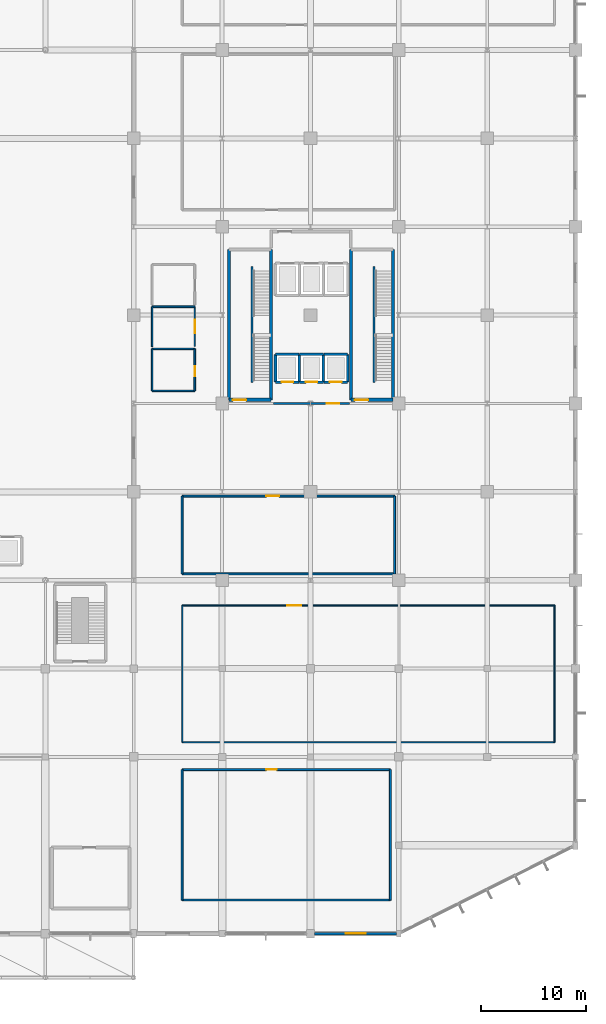
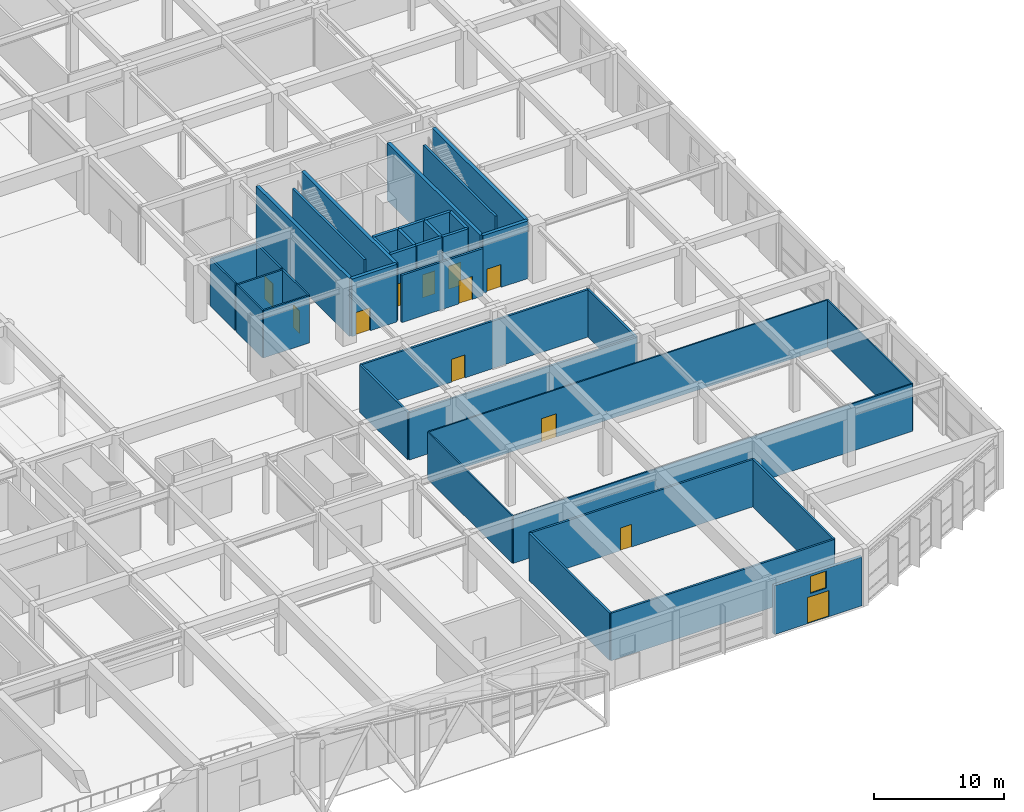
# One storey, part 48 of 62: 39 walls, 12 doors, 1 window, 13 openings.
"""IFC4 building model written with IfcOpenShell, lengths in metres."""

from ifc_helpers import new_model, si_unit, direction, frame, frame_2d, origin, place, context, subcontext, project, spatial, rectangle, extrude, material, layer, layer_set, type_object, element, fill, save


model = new_model("IFC4")

# Units and contexts
model_context = context("Model", 3, precision=1e-05, world=origin(), true_north=direction((0.0, 1.0)))
body_context = subcontext(model_context, "Body", "Model", "MODEL_VIEW")
ifc_project = project(units=[si_unit("LENGTHUNIT", "METRE"), si_unit("AREAUNIT", "SQUARE_METRE"), si_unit("VOLUMEUNIT", "CUBIC_METRE"), si_unit("PLANEANGLEUNIT", "RADIAN"), si_unit("MASSUNIT", "GRAM", prefix="KILO")], contexts=[model_context])

# Site, building, storey
site_placement = place(None, origin())
site = spatial("IfcSite", under=ifc_project, at=site_placement, CompositionType="ELEMENT")
building_placement = place(site_placement, origin())
building = spatial("IfcBuilding", under=site, at=building_placement, Name="Xuanlan Plaza Opera House", CompositionType="ELEMENT")
storey_placement = place(building_placement, origin())
storey = spatial("IfcBuildingStorey", under=building, at=storey_placement, Name="L00", CompositionType="ELEMENT", Elevation=0.0)

# Wall, openings, door, window
ifc_material_1 = material(Name="Anodised Aluminium 6063-T6 and Rockwool Cladding", Category="aluminium")
ifc_layer_1 = layer(ifc_material_1, 0.27001953125)
ifc_layer_set_1 = layer_set([ifc_layer_1], Name="Anodised Aluminium 6063-T6 and Rockwool Cladding")
wall_type_1 = type_object("IfcWallType", Name="ENV-WL-EW-06", PredefinedType="STANDARD", material=ifc_layer_set_1)
wall_1_placement = place(storey_placement, frame((143.199951171875, 0.0, 0.0), z_axis=(0.0, 0.0, 1.0), x_axis=(1.0, 0.0, 0.0)))
wall_1 = element("IfcWall", 1, at=wall_1_placement, inside=storey, type_object=wall_type_1, Name="Exterior Wall L00-016", PredefinedType="STANDARD", context=body_context, shape_type="SweptSolid", body=[
    extrude(rectangle(XDim=7.775146484375, YDim=0.27001953125, at=frame_2d((3.8876953125, 0.0))), origin(), (0.0, 0.0, 1.0), 4.580078125),
])
opening_1_placement = place(wall_1_placement, frame((2.93798828125, 0.0, 0.0)))
opening_1 = element("IfcOpeningElement", 2, at=opening_1_placement, cuts=wall_1, Name="Opening ED-05", PredefinedType="OPENING", context=body_context, shape_type="SweptSolid", body=[
    extrude(rectangle(XDim=1.89990234375, YDim=2.449951171875, at=frame_2d((0.949951171875, 1.22509765625))), frame((0.0, 0.14501953125, 0.0), z_axis=(0.0, -1.0, 0.0), x_axis=(1.0, 0.0, 0.0)), (0.0, 0.0, 1.0), 0.2900390625),
])
opening_2_placement = place(wall_1_placement, frame((3.18798828125, 0.0, 2.75)))
opening_2 = element("IfcOpeningElement", 3, at=opening_2_placement, cuts=wall_1, Name="Opening WN-08", PredefinedType="OPENING", context=body_context, shape_type="SweptSolid", body=[
    extrude(rectangle(XDim=1.39990234375, YDim=1.60009765625, at=frame_2d((0.699951171875, 0.800048828125))), frame((0.0, 0.14501953125, 0.0), z_axis=(0.0, -1.0, 0.0), x_axis=(1.0, 0.0, 0.0)), (0.0, 0.0, 1.0), 0.2900390625),
])
ifc_material_2 = material(Name="Anodised Aluminium 6063-T6 and Laminated Safety Glass", Category="aluminium")
door_type_1 = type_object("IfcDoorType", Name="ENV-DR-ED-05", OperationType="DOUBLE_DOOR_SINGLE_SWING", PredefinedType="DOOR", material=ifc_material_2)
door_1_placement = place(opening_1_placement, frame((1.89990234375, 0.0, 0.0), z_axis=(0.0, 0.0, 1.0), x_axis=(-1.0, 0.0, 0.0)))
door_1 = element("IfcDoor", 4, at=door_1_placement, inside=storey, type_object=door_type_1, Name="Plaza Pedestrian Exit Door 10", OperationType="DOUBLE_DOOR_SINGLE_SWING", OverallHeight=2.449951171875, OverallWidth=1.89990234375, PredefinedType="DOOR", context=body_context, shape_type="SweptSolid", body=[
    extrude(rectangle(XDim=1.89990234375, YDim=2.449951171875, at=frame_2d((0.949951171875, 1.22509765625))), frame((0.0, 0.02490234375, 0.0), z_axis=(0.0, -1.0, 0.0), x_axis=(1.0, 0.0, 0.0)), (0.0, 0.0, 1.0), 0.050048828125),
])
fill(opening_1, door_1)
ifc_material_3 = material(Name="Anodised Aluminium 6063-T6 and Low-E Glass", Category="aluminium")
window_type = type_object("IfcWindowType", Name="ENV-WN-WN-08", PartitioningType="SINGLE_PANEL", PredefinedType="WINDOW", material=ifc_material_3)
window_placement = place(opening_2_placement, origin())
window = element("IfcWindow", 5, at=window_placement, inside=storey, type_object=window_type, Name="Entrance Portal Transom Clerestory 10", OverallHeight=1.60009765625, OverallWidth=1.39990234375, PartitioningType="SINGLE_PANEL", PredefinedType="WINDOW", context=body_context, shape_type="SweptSolid", body=[
    extrude(rectangle(XDim=1.39990234375, YDim=1.60009765625, at=frame_2d((0.699951171875, 0.800048828125))), frame((0.0, 0.030029296875, 0.0), z_axis=(0.0, -1.0, 0.0), x_axis=(1.0, 0.0, 0.0)), (0.0, 0.0, 1.0), 0.06005859375),
])
fill(opening_2, window)

# Wall, opening, door
ifc_material_4 = material(Name="Gypsum Board and Galvanised Steel Studs", Category="gypsum")
ifc_layer_2 = layer(ifc_material_4, 0.179931640625)
ifc_layer_set_2 = layer_set([ifc_layer_2], Name="Gypsum Board and Galvanised Steel Studs")
wall_type_2 = type_object("IfcWallType", Name="INT-WL-PW-02", PredefinedType="PARTITIONING", material=ifc_layer_set_2)
wall_2_placement = place(storey_placement, frame((139.300048828125, 50.39990234375, 0.0), z_axis=(0.0, 0.0, 1.0), x_axis=(1.0, 0.0, 0.0)))
wall_2 = element("IfcWall", 6, at=wall_2_placement, inside=storey, type_object=wall_type_2, Name="Tower Lift Lobby Wall South", PredefinedType="PARTITIONING", context=body_context, shape_type="SweptSolid", body=[
    extrude(rectangle(XDim=7.199951171875, YDim=0.179931640625, at=frame_2d((3.60009765625, 0.0))), origin(), (0.0, 0.0, 1.0), 4.43994140625),
])
opening_3_placement = place(wall_2_placement, frame((5.050048828125, 0.0, 0.0)))
opening_3 = element("IfcOpeningElement", 7, at=opening_3_placement, cuts=wall_2, Name="Opening FD-02", PredefinedType="OPENING", context=body_context, shape_type="SweptSolid", body=[
    extrude(rectangle(XDim=1.199951171875, YDim=2.14990234375, at=frame_2d((0.60009765625, 1.074951171875))), frame((0.0, 0.099853515625, 0.0), z_axis=(0.0, -1.0, 0.0), x_axis=(1.0, 0.0, 0.0)), (0.0, 0.0, 1.0), 0.199951171875),
])
ifc_material_5 = material(Name="Galvanised Steel Q235B", Category="steel")
door_type_2 = type_object("IfcDoorType", Name="INT-DR-FD-02", OperationType="NOTDEFINED", PredefinedType="DOOR", material=ifc_material_5)
door_2_placement = place(opening_3_placement, frame((1.199951171875, 0.0, 0.0), z_axis=(0.0, 0.0, 1.0), x_axis=(-1.0, 0.0, 0.0)))
door_2 = element("IfcDoor", 8, at=door_2_placement, inside=storey, type_object=door_type_2, Name="Tower Lift Lobby Door 1", OperationType="SINGLE_SWING_RIGHT", OverallHeight=2.14990234375, OverallWidth=1.199951171875, PredefinedType="DOOR", context=body_context, shape_type="SweptSolid", body=[
    extrude(rectangle(XDim=1.199951171875, YDim=2.14990234375, at=frame_2d((0.60009765625, 1.074951171875))), frame((0.0, 0.02490234375, 0.0), z_axis=(0.0, -1.0, 0.0), x_axis=(1.0, 0.0, 0.0)), (0.0, 0.0, 1.0), 0.050048828125),
])
fill(opening_3, door_2)

# Wall
wall_3_placement = place(storey_placement, frame((130.60009765625, 34.199951171875, 0.0), z_axis=(0.0, 0.0, 1.0), x_axis=(1.0, 0.0, 0.0)))
element("IfcWall", 9, at=wall_3_placement, inside=storey, type_object=wall_type_2, Name="Tower Concierge Office Wall South", PredefinedType="PARTITIONING", context=body_context, shape_type="SweptSolid", body=[
    extrude(rectangle(XDim=20.199951171875, YDim=0.179931640625, at=frame_2d((10.10009765625, 0.0))), origin(), (0.0, 0.0, 1.0), 4.43994140625),
])

# Wall, opening, door
wall_4_placement = place(storey_placement, frame((130.60009765625, 41.60009765625, 0.0), z_axis=(0.0, 0.0, 1.0), x_axis=(1.0, 0.0, 0.0)))
wall_4 = element("IfcWall", 10, at=wall_4_placement, inside=storey, type_object=wall_type_2, Name="Tower Concierge Office Wall North", PredefinedType="PARTITIONING", context=body_context, shape_type="SweptSolid", body=[
    extrude(rectangle(XDim=20.199951171875, YDim=0.179931640625, at=frame_2d((10.10009765625, 0.0))), origin(), (0.0, 0.0, 1.0), 4.43994140625),
])
opening_4_placement = place(wall_4_placement, frame((8.0, 0.0, 0.0)))
opening_4 = element("IfcOpeningElement", 11, at=opening_4_placement, cuts=wall_4, Name="Opening D-05", PredefinedType="OPENING", context=body_context, shape_type="SweptSolid", body=[
    extrude(rectangle(XDim=1.219970703125, YDim=2.14990234375, at=frame_2d((0.60986328125, 1.074951171875))), frame((0.0, 0.099853515625, 0.0), z_axis=(0.0, -1.0, 0.0), x_axis=(1.0, 0.0, 0.0)), (0.0, 0.0, 1.0), 0.199951171875),
])
ifc_material_6 = material(Name="Walnut Hardwood Timber", Category="wood")
door_type_3 = type_object("IfcDoorType", Name="INT-DR-D-05", OperationType="NOTDEFINED", PredefinedType="DOOR", material=ifc_material_6)
door_3_placement = place(opening_4_placement, origin())
door_3 = element("IfcDoor", 12, at=door_3_placement, inside=storey, type_object=door_type_3, Name="Tower Concierge Office Door 1", OperationType="SINGLE_SWING_RIGHT", OverallHeight=2.14990234375, OverallWidth=1.219970703125, PredefinedType="DOOR", context=body_context, shape_type="SweptSolid", body=[
    extrude(rectangle(XDim=1.219970703125, YDim=2.14990234375, at=frame_2d((0.60986328125, 1.074951171875))), frame((0.0, 0.02490234375, 0.0), z_axis=(0.0, -1.0, 0.0), x_axis=(1.0, 0.0, 0.0)), (0.0, 0.0, 1.0), 0.050048828125),
])
fill(opening_4, door_3)

# Walls
for number, where, z_axis, x_axis, name in (
    (13, (130.60009765625, 34.199951171875, 0.0), (0.0, 0.0, 1.0), (0.0, 1.0, 0.0), "Tower Concierge Office Wall West"),
    (14, (150.800048828125, 34.199951171875, 0.0), (0.0, 0.0, 1.0), (0.0, 1.0, 0.0), "Tower Concierge Office Wall East"),
):
    element("IfcWall", number, at=place(storey_placement, frame(where, z_axis=z_axis, x_axis=x_axis)), inside=storey, type_object=wall_type_2, Name=name, PredefinedType="PARTITIONING", context=body_context, shape_type="SweptSolid", body=[
        extrude(rectangle(XDim=7.400146484375, YDim=0.179931640625, at=frame_2d((3.7001953125, 0.0))), origin(), (0.0, 0.0, 1.0), 4.43994140625),
    ])
wall_5_placement = place(storey_placement, frame((130.60009765625, 3.199951171875, 0.0), z_axis=(0.0, 0.0, 1.0), x_axis=(1.0, 0.0, 0.0)))
element("IfcWall", 15, at=wall_5_placement, inside=storey, type_object=wall_type_2, Name="Building Maintenance Store Wall South", PredefinedType="PARTITIONING", context=body_context, shape_type="SweptSolid", body=[
    extrude(rectangle(XDim=19.7998046875, YDim=0.179931640625, at=frame_2d((9.89990234375, 0.0))), origin(), (0.0, 0.0, 1.0), 4.43994140625),
])

# Wall, opening, door
wall_6_placement = place(storey_placement, frame((130.60009765625, 15.60009765625, 0.0), z_axis=(0.0, 0.0, 1.0), x_axis=(1.0, 0.0, 0.0)))
wall_6 = element("IfcWall", 16, at=wall_6_placement, inside=storey, type_object=wall_type_2, Name="Building Maintenance Store Wall North", PredefinedType="PARTITIONING", context=body_context, shape_type="SweptSolid", body=[
    extrude(rectangle(XDim=19.7998046875, YDim=0.179931640625, at=frame_2d((9.89990234375, 0.0))), origin(), (0.0, 0.0, 1.0), 4.43994140625),
])
opening_5_placement = place(wall_6_placement, frame((8.0, 0.0, 0.0)))
opening_5 = element("IfcOpeningElement", 17, at=opening_5_placement, cuts=wall_6, Name="Opening D-09", PredefinedType="OPENING", context=body_context, shape_type="SweptSolid", body=[
    extrude(rectangle(XDim=0.97998046875, YDim=2.1201171875, at=frame_2d((0.489990234375, 1.06005859375))), frame((0.0, 0.099853515625, 0.0), z_axis=(0.0, -1.0, 0.0), x_axis=(1.0, 0.0, 0.0)), (0.0, 0.0, 1.0), 0.199951171875),
])
door_type_4 = type_object("IfcDoorType", Name="INT-DR-D-09", OperationType="NOTDEFINED", PredefinedType="DOOR", material=ifc_material_6)
door_4_placement = place(opening_5_placement, origin())
door_4 = element("IfcDoor", 18, at=door_4_placement, inside=storey, type_object=door_type_4, Name="Building Maintenance Store Door 1", OperationType="SINGLE_SWING_RIGHT", OverallHeight=2.1201171875, OverallWidth=0.97998046875, PredefinedType="DOOR", context=body_context, shape_type="SweptSolid", body=[
    extrude(rectangle(XDim=0.97998046875, YDim=2.1201171875, at=frame_2d((0.489990234375, 1.06005859375))), frame((0.0, 0.02490234375, 0.0), z_axis=(0.0, -1.0, 0.0), x_axis=(1.0, 0.0, 0.0)), (0.0, 0.0, 1.0), 0.050048828125),
])
fill(opening_5, door_4)

# Walls
for number, where, z_axis, x_axis, name in (
    (19, (130.60009765625, 3.199951171875, 0.0), (0.0, 0.0, 1.0), (0.0, 1.0, 0.0), "Building Maintenance Store Wall West"),
    (20, (150.39990234375, 3.199951171875, 0.0), (0.0, 0.0, 1.0), (0.0, 1.0, 0.0), "Building Maintenance Store Wall East"),
):
    element("IfcWall", number, at=place(storey_placement, frame(where, z_axis=z_axis, x_axis=x_axis)), inside=storey, type_object=wall_type_2, Name=name, PredefinedType="PARTITIONING", context=body_context, shape_type="SweptSolid", body=[
        extrude(rectangle(XDim=12.400146484375, YDim=0.179931640625, at=frame_2d((6.2001953125, 0.0))), origin(), (0.0, 0.0, 1.0), 4.43994140625),
    ])
ifc_material_7 = material(Name="Autoclaved Aerated Blockwork Masonry", Category="masonry")
ifc_layer_3 = layer(ifc_material_7, 0.14990234375)
ifc_layer_set_3 = layer_set([ifc_layer_3], Name="Autoclaved Aerated Blockwork Masonry")
wall_type_3 = type_object("IfcWallType", Name="INT-WL-PW-03", PredefinedType="PARTITIONING", material=ifc_layer_set_3)
for number, where, z_axis, x_axis, name in (
    (21, (127.75, 51.60009765625, 0.0), (0.0, 0.0, 1.0), (1.0, 0.0, 0.0), "Public WC Wall South"),
    (22, (127.75, 55.60009765625, 0.0), (0.0, 0.0, 1.0), (1.0, 0.0, 0.0), "Public WC Wall North"),
):
    element("IfcWall", number, at=place(storey_placement, frame(where, z_axis=z_axis, x_axis=x_axis)), inside=storey, type_object=wall_type_3, Name=name, PredefinedType="PARTITIONING", context=body_context, shape_type="SweptSolid", body=[
        extrude(rectangle(XDim=4.050048828125, YDim=0.14990234375, at=frame_2d((2.02490234375, 0.0))), origin(), (0.0, 0.0, 1.0), 4.43994140625),
    ])
wall_7_placement = place(storey_placement, frame((127.75, 51.60009765625, 0.0), z_axis=(0.0, 0.0, 1.0), x_axis=(0.0, 1.0, 0.0)))
element("IfcWall", 23, at=wall_7_placement, inside=storey, type_object=wall_type_3, Name="Public WC Wall West", PredefinedType="PARTITIONING", context=body_context, shape_type="SweptSolid", body=[
    extrude(rectangle(XDim=4.0, YDim=0.14990234375, at=frame_2d((2.0, 0.0))), origin(), (0.0, 0.0, 1.0), 4.43994140625),
])

# Wall, opening, door
wall_8_placement = place(storey_placement, frame((131.800048828125, 51.60009765625, 0.0), z_axis=(0.0, 0.0, 1.0), x_axis=(0.0, 1.0, 0.0)))
wall_8 = element("IfcWall", 24, at=wall_8_placement, inside=storey, type_object=wall_type_3, Name="Public WC Wall East", PredefinedType="PARTITIONING", context=body_context, shape_type="SweptSolid", body=[
    extrude(rectangle(XDim=4.0, YDim=0.14990234375, at=frame_2d((2.0, 0.0))), origin(), (0.0, 0.0, 1.0), 4.43994140625),
])
opening_6_placement = place(wall_8_placement, frame((1.39990234375, 0.0, 0.0)))
opening_6 = element("IfcOpeningElement", 25, at=opening_6_placement, cuts=wall_8, Name="Opening D-01", PredefinedType="OPENING", context=body_context, shape_type="SweptSolid", body=[
    extrude(rectangle(XDim=0.949951171875, YDim=2.10009765625, at=frame_2d((0.47509765625, 1.050048828125))), frame((0.0, 0.0849609375, 0.0), z_axis=(0.0, -1.0, 0.0), x_axis=(1.0, 0.0, 0.0)), (0.0, 0.0, 1.0), 0.169921875),
])
door_type_5 = type_object("IfcDoorType", Name="INT-DR-D-01", OperationType="NOTDEFINED", PredefinedType="DOOR", material=ifc_material_6)
door_5_placement = place(opening_6_placement, origin())
door_5 = element("IfcDoor", 26, at=door_5_placement, inside=storey, type_object=door_type_5, Name="Public WC Door 1", OperationType="SINGLE_SWING_RIGHT", OverallHeight=2.10009765625, OverallWidth=0.949951171875, PredefinedType="DOOR", context=body_context, shape_type="SweptSolid", body=[
    extrude(rectangle(XDim=0.949951171875, YDim=2.10009765625, at=frame_2d((0.47509765625, 1.050048828125))), frame((0.0, 0.02490234375, 0.0), z_axis=(0.0, -1.0, 0.0), x_axis=(1.0, 0.0, 0.0)), (0.0, 0.0, 1.0), 0.050048828125),
])
fill(opening_6, door_5)

# Walls
wall_9_placement = place(storey_placement, frame((127.75, 59.60009765625, 0.0), z_axis=(0.0, 0.0, 1.0), x_axis=(1.0, 0.0, 0.0)))
element("IfcWall", 27, at=wall_9_placement, inside=storey, type_object=wall_type_3, Name="Staff WC Wall North", PredefinedType="PARTITIONING", context=body_context, shape_type="SweptSolid", body=[
    extrude(rectangle(XDim=4.050048828125, YDim=0.14990234375, at=frame_2d((2.02490234375, 0.0))), origin(), (0.0, 0.0, 1.0), 4.43994140625),
])
wall_10_placement = place(storey_placement, frame((127.75, 55.800048828125, 0.0), z_axis=(0.0, 0.0, 1.0), x_axis=(0.0, 1.0, 0.0)))
element("IfcWall", 28, at=wall_10_placement, inside=storey, type_object=wall_type_3, Name="Staff WC Wall West", PredefinedType="PARTITIONING", context=body_context, shape_type="SweptSolid", body=[
    extrude(rectangle(XDim=3.800048828125, YDim=0.14990234375, at=frame_2d((1.89990234375, 0.0))), origin(), (0.0, 0.0, 1.0), 4.43994140625),
])

# Wall, opening, door
wall_11_placement = place(storey_placement, frame((131.800048828125, 55.800048828125, 0.0), z_axis=(0.0, 0.0, 1.0), x_axis=(0.0, 1.0, 0.0)))
wall_11 = element("IfcWall", 29, at=wall_11_placement, inside=storey, type_object=wall_type_3, Name="Staff WC Wall East", PredefinedType="PARTITIONING", context=body_context, shape_type="SweptSolid", body=[
    extrude(rectangle(XDim=3.800048828125, YDim=0.14990234375, at=frame_2d((1.89990234375, 0.0))), origin(), (0.0, 0.0, 1.0), 4.43994140625),
])
opening_7_placement = place(wall_11_placement, frame((1.300048828125, 0.0, 0.0)))
opening_7 = element("IfcOpeningElement", 30, at=opening_7_placement, cuts=wall_11, Name="Opening D-11", PredefinedType="OPENING", context=body_context, shape_type="SweptSolid", body=[
    extrude(rectangle(XDim=1.280029296875, YDim=2.159912109375, at=frame_2d((0.64013671875, 1.080078125))), frame((0.0, 0.0849609375, 0.0), z_axis=(0.0, -1.0, 0.0), x_axis=(1.0, 0.0, 0.0)), (0.0, 0.0, 1.0), 0.169921875),
])
door_type_6 = type_object("IfcDoorType", Name="INT-DR-D-11", OperationType="NOTDEFINED", PredefinedType="DOOR", material=ifc_material_6)
door_6_placement = place(opening_7_placement, origin())
door_6 = element("IfcDoor", 31, at=door_6_placement, inside=storey, type_object=door_type_6, Name="Staff WC Door 1", OperationType="SINGLE_SWING_LEFT", OverallHeight=2.159912109375, OverallWidth=1.280029296875, PredefinedType="DOOR", context=body_context, shape_type="SweptSolid", body=[
    extrude(rectangle(XDim=1.280029296875, YDim=2.159912109375, at=frame_2d((0.64013671875, 1.080078125))), frame((0.0, 0.02490234375, 0.0), z_axis=(0.0, -1.0, 0.0), x_axis=(1.0, 0.0, 0.0)), (0.0, 0.0, 1.0), 0.050048828125),
])
fill(opening_7, door_6)

# Wall
ifc_layer_4 = layer(ifc_material_4, 0.1201171875)
ifc_layer_set_4 = layer_set([ifc_layer_4], Name="Gypsum Board and Galvanised Steel Studs")
wall_type_4 = type_object("IfcWallType", Name="INT-WL-PW-04", PredefinedType="PARTITIONING", material=ifc_layer_set_4)
wall_12_placement = place(storey_placement, frame((130.60009765625, 18.199951171875, 0.0), z_axis=(0.0, 0.0, 1.0), x_axis=(1.0, 0.0, 0.0)))
element("IfcWall", 32, at=wall_12_placement, inside=storey, type_object=wall_type_4, Name="Civic Cultural Education Studio Wall South", PredefinedType="PARTITIONING", context=body_context, shape_type="SweptSolid", body=[
    extrude(rectangle(XDim=35.39990234375, YDim=0.1201171875, at=frame_2d((17.699951171875, 0.0))), origin(), (0.0, 0.0, 1.0), 4.43994140625),
])

# Wall, opening, door
wall_13_placement = place(storey_placement, frame((130.60009765625, 31.199951171875, 0.0), z_axis=(0.0, 0.0, 1.0), x_axis=(1.0, 0.0, 0.0)))
wall_13 = element("IfcWall", 33, at=wall_13_placement, inside=storey, type_object=wall_type_4, Name="Civic Cultural Education Studio Wall North", PredefinedType="PARTITIONING", context=body_context, shape_type="SweptSolid", body=[
    extrude(rectangle(XDim=35.39990234375, YDim=0.1201171875, at=frame_2d((17.699951171875, 0.0))), origin(), (0.0, 0.0, 1.0), 4.43994140625),
])
opening_8_placement = place(wall_13_placement, frame((10.0, 0.0, 0.0)))
opening_8 = element("IfcOpeningElement", 34, at=opening_8_placement, cuts=wall_13, Name="Opening D-07", PredefinedType="OPENING", context=body_context, shape_type="SweptSolid", body=[
    extrude(rectangle(XDim=1.320068359375, YDim=2.179931640625, at=frame_2d((0.66015625, 1.08984375))), frame((0.0, 0.070068359375, 0.0), z_axis=(0.0, -1.0, 0.0), x_axis=(1.0, 0.0, 0.0)), (0.0, 0.0, 1.0), 0.14013671875),
])
door_type_7 = type_object("IfcDoorType", Name="INT-DR-D-07", OperationType="NOTDEFINED", PredefinedType="DOOR", material=ifc_material_6)
door_7_placement = place(opening_8_placement, origin())
door_7 = element("IfcDoor", 35, at=door_7_placement, inside=storey, type_object=door_type_7, Name="Civic Cultural Education Studio Door 1", OperationType="SINGLE_SWING_RIGHT", OverallHeight=2.179931640625, OverallWidth=1.320068359375, PredefinedType="DOOR", context=body_context, shape_type="SweptSolid", body=[
    extrude(rectangle(XDim=1.320068359375, YDim=2.179931640625, at=frame_2d((0.66015625, 1.08984375))), frame((0.0, 0.02490234375, 0.0), z_axis=(0.0, -1.0, 0.0), x_axis=(1.0, 0.0, 0.0)), (0.0, 0.0, 1.0), 0.050048828125),
])
fill(opening_8, door_7)

# Walls
for number, where, z_axis, x_axis, name in (
    (36, (130.60009765625, 18.199951171875, 0.0), (0.0, 0.0, 1.0), (0.0, 1.0, 0.0), "Civic Cultural Education Studio Wall West"),
    (37, (166.0, 18.199951171875, 0.0), (0.0, 0.0, 1.0), (0.0, 1.0, 0.0), "Civic Cultural Education Studio Wall East"),
):
    element("IfcWall", number, at=place(storey_placement, frame(where, z_axis=z_axis, x_axis=x_axis)), inside=storey, type_object=wall_type_4, Name=name, PredefinedType="PARTITIONING", context=body_context, shape_type="SweptSolid", body=[
        extrude(rectangle(XDim=13.0, YDim=0.1201171875, at=frame_2d((6.5, 0.0))), origin(), (0.0, 0.0, 1.0), 4.43994140625),
    ])

# Wall, opening, door
ifc_material_8 = material(Name="Concrete C40", Category="concrete")
ifc_layer_5 = layer(ifc_material_8, 0.25)
ifc_layer_set_5 = layer_set([ifc_layer_5], Name="Concrete C40")
wall_type_5 = type_object("IfcWallType", Name="INT-WL-SW-LF1", PredefinedType="SHEAR", material=ifc_layer_set_5)
wall_14_placement = place(storey_placement, frame((139.47509765625, 52.425048828125, 0.0), z_axis=(0.0, 0.0, 1.0), x_axis=(1.0, 0.0, 0.0)))
wall_14 = element("IfcWall", 38, at=wall_14_placement, inside=storey, type_object=wall_type_5, Name="Lift Shaft Wall LF-P1 L00 South", PredefinedType="SHEAR", context=body_context, shape_type="SweptSolid", body=[
    extrude(rectangle(XDim=2.25, YDim=0.25, at=frame_2d((1.125, 0.0))), origin(), (0.0, 0.0, 1.0), 5.139892578125),
])
opening_9_placement = place(wall_14_placement, frame((0.574951171875, 0.0, 0.0)))
opening_9 = element("IfcOpeningElement", 39, at=opening_9_placement, cuts=wall_14, Name="Opening LD-P1-L00", PredefinedType="OPENING", context=body_context, shape_type="SweptSolid", body=[
    extrude(rectangle(XDim=1.10009765625, YDim=2.14990234375, at=frame_2d((0.550048828125, 1.074951171875))), frame((0.0, 0.135009765625, 0.0), z_axis=(0.0, -1.0, 0.0), x_axis=(1.0, 0.0, 0.0)), (0.0, 0.0, 1.0), 0.27001953125),
])
ifc_material_9 = material(Name="Stainless Steel S30408", Category="steel")
door_type_8 = type_object("IfcDoorType", Name="INT-DR-LD-01", OperationType="DOUBLE_DOOR_SLIDING", PredefinedType="DOOR", material=ifc_material_9)
door_8_placement = place(opening_9_placement, origin())
door_8 = element("IfcDoor", 40, at=door_8_placement, inside=storey, type_object=door_type_8, Name="Lift Sliding Landing Door LF-P1 L00", OperationType="DOUBLE_DOOR_SLIDING", OverallHeight=2.14990234375, OverallWidth=1.10009765625, PredefinedType="DOOR", context=body_context, shape_type="SweptSolid", body=[
    extrude(rectangle(XDim=1.10009765625, YDim=2.14990234375, at=frame_2d((0.550048828125, 1.074951171875))), frame((0.0, 0.02490234375, 0.0), z_axis=(0.0, -1.0, 0.0), x_axis=(1.0, 0.0, 0.0)), (0.0, 0.0, 1.0), 0.050048828125),
])
fill(opening_9, door_8)

# Walls
wall_15_placement = place(storey_placement, frame((139.47509765625, 55.074951171875, 0.0), z_axis=(0.0, 0.0, 1.0), x_axis=(1.0, 0.0, 0.0)))
element("IfcWall", 41, at=wall_15_placement, inside=storey, type_object=wall_type_5, Name="Lift Shaft Wall LF-P1 L00 North", PredefinedType="SHEAR", context=body_context, shape_type="SweptSolid", body=[
    extrude(rectangle(XDim=2.25, YDim=0.25, at=frame_2d((1.125, 0.0))), origin(), (0.0, 0.0, 1.0), 5.139892578125),
])
for number, where, z_axis, x_axis, name in (
    (42, (139.47509765625, 52.425048828125, 0.0), (0.0, 0.0, 1.0), (0.0, 1.0, 0.0), "Lift Shaft Wall LF-P1 L00 West"),
    (43, (141.72509765625, 52.425048828125, 0.0), (0.0, 0.0, 1.0), (0.0, 1.0, 0.0), "Lift Shaft Wall LF-P1 L00 East"),
):
    element("IfcWall", number, at=place(storey_placement, frame(where, z_axis=z_axis, x_axis=x_axis)), inside=storey, type_object=wall_type_5, Name=name, PredefinedType="SHEAR", context=body_context, shape_type="SweptSolid", body=[
        extrude(rectangle(XDim=2.64990234375, YDim=0.25, at=frame_2d((1.324951171875, 0.0))), origin(), (0.0, 0.0, 1.0), 5.139892578125),
    ])

# Wall, opening, door
wall_16_placement = place(storey_placement, frame((141.77490234375, 52.425048828125, 0.0), z_axis=(0.0, 0.0, 1.0), x_axis=(1.0, 0.0, 0.0)))
wall_16 = element("IfcWall", 44, at=wall_16_placement, inside=storey, type_object=wall_type_5, Name="Lift Shaft Wall LF-P2 L00 South", PredefinedType="SHEAR", context=body_context, shape_type="SweptSolid", body=[
    extrude(rectangle(XDim=2.25, YDim=0.25, at=frame_2d((1.125, 0.0))), origin(), (0.0, 0.0, 1.0), 5.139892578125),
])
opening_10_placement = place(wall_16_placement, frame((0.574951171875, 0.0, 0.0)))
opening_10 = element("IfcOpeningElement", 45, at=opening_10_placement, cuts=wall_16, Name="Opening LD-P2-L00", PredefinedType="OPENING", context=body_context, shape_type="SweptSolid", body=[
    extrude(rectangle(XDim=1.10009765625, YDim=2.14990234375, at=frame_2d((0.550048828125, 1.074951171875))), frame((0.0, 0.135009765625, 0.0), z_axis=(0.0, -1.0, 0.0), x_axis=(1.0, 0.0, 0.0)), (0.0, 0.0, 1.0), 0.27001953125),
])
door_9_placement = place(opening_10_placement, origin())
door_9 = element("IfcDoor", 46, at=door_9_placement, inside=storey, type_object=door_type_8, Name="Lift Sliding Landing Door LF-P2 L00", OperationType="DOUBLE_DOOR_SLIDING", OverallHeight=2.14990234375, OverallWidth=1.10009765625, PredefinedType="DOOR", context=body_context, shape_type="SweptSolid", body=[
    extrude(rectangle(XDim=1.10009765625, YDim=2.14990234375, at=frame_2d((0.550048828125, 1.074951171875))), frame((0.0, 0.02490234375, 0.0), z_axis=(0.0, -1.0, 0.0), x_axis=(1.0, 0.0, 0.0)), (0.0, 0.0, 1.0), 0.050048828125),
])
fill(opening_10, door_9)

# Walls
wall_17_placement = place(storey_placement, frame((141.77490234375, 55.074951171875, 0.0), z_axis=(0.0, 0.0, 1.0), x_axis=(1.0, 0.0, 0.0)))
element("IfcWall", 47, at=wall_17_placement, inside=storey, type_object=wall_type_5, Name="Lift Shaft Wall LF-P2 L00 North", PredefinedType="SHEAR", context=body_context, shape_type="SweptSolid", body=[
    extrude(rectangle(XDim=2.25, YDim=0.25, at=frame_2d((1.125, 0.0))), origin(), (0.0, 0.0, 1.0), 5.139892578125),
])
wall_18_placement = place(storey_placement, frame((144.02490234375, 52.425048828125, 0.0), z_axis=(0.0, 0.0, 1.0), x_axis=(0.0, 1.0, 0.0)))
element("IfcWall", 48, at=wall_18_placement, inside=storey, type_object=wall_type_5, Name="Lift Shaft Wall LF-P2 L00 East", PredefinedType="SHEAR", context=body_context, shape_type="SweptSolid", body=[
    extrude(rectangle(XDim=2.64990234375, YDim=0.25, at=frame_2d((1.324951171875, 0.0))), origin(), (0.0, 0.0, 1.0), 5.139892578125),
])

# Wall, opening, door
wall_19_placement = place(storey_placement, frame((144.074951171875, 52.425048828125, 0.0), z_axis=(0.0, 0.0, 1.0), x_axis=(1.0, 0.0, 0.0)))
wall_19 = element("IfcWall", 49, at=wall_19_placement, inside=storey, type_object=wall_type_5, Name="Lift Shaft Wall LF-P3 L00 South", PredefinedType="SHEAR", context=body_context, shape_type="SweptSolid", body=[
    extrude(rectangle(XDim=2.25, YDim=0.25, at=frame_2d((1.125, 0.0))), origin(), (0.0, 0.0, 1.0), 5.139892578125),
])
opening_11_placement = place(wall_19_placement, frame((0.574951171875, 0.0, 0.0)))
opening_11 = element("IfcOpeningElement", 50, at=opening_11_placement, cuts=wall_19, Name="Opening LD-P3-L00", PredefinedType="OPENING", context=body_context, shape_type="SweptSolid", body=[
    extrude(rectangle(XDim=1.10009765625, YDim=2.14990234375, at=frame_2d((0.550048828125, 1.074951171875))), frame((0.0, 0.135009765625, 0.0), z_axis=(0.0, -1.0, 0.0), x_axis=(1.0, 0.0, 0.0)), (0.0, 0.0, 1.0), 0.27001953125),
])
door_10_placement = place(opening_11_placement, origin())
door_10 = element("IfcDoor", 51, at=door_10_placement, inside=storey, type_object=door_type_8, Name="Lift Sliding Landing Door LF-P3 L00", OperationType="DOUBLE_DOOR_SLIDING", OverallHeight=2.14990234375, OverallWidth=1.10009765625, PredefinedType="DOOR", context=body_context, shape_type="SweptSolid", body=[
    extrude(rectangle(XDim=1.10009765625, YDim=2.14990234375, at=frame_2d((0.550048828125, 1.074951171875))), frame((0.0, 0.02490234375, 0.0), z_axis=(0.0, -1.0, 0.0), x_axis=(1.0, 0.0, 0.0)), (0.0, 0.0, 1.0), 0.050048828125),
])
fill(opening_11, door_10)

# Walls
wall_20_placement = place(storey_placement, frame((144.074951171875, 55.074951171875, 0.0), z_axis=(0.0, 0.0, 1.0), x_axis=(1.0, 0.0, 0.0)))
element("IfcWall", 52, at=wall_20_placement, inside=storey, type_object=wall_type_5, Name="Lift Shaft Wall LF-P3 L00 North", PredefinedType="SHEAR", context=body_context, shape_type="SweptSolid", body=[
    extrude(rectangle(XDim=2.25, YDim=0.25, at=frame_2d((1.125, 0.0))), origin(), (0.0, 0.0, 1.0), 5.139892578125),
])
wall_21_placement = place(storey_placement, frame((146.324951171875, 52.425048828125, 0.0), z_axis=(0.0, 0.0, 1.0), x_axis=(0.0, 1.0, 0.0)))
element("IfcWall", 53, at=wall_21_placement, inside=storey, type_object=wall_type_5, Name="Lift Shaft Wall LF-P3 L00 East", PredefinedType="SHEAR", context=body_context, shape_type="SweptSolid", body=[
    extrude(rectangle(XDim=2.64990234375, YDim=0.25, at=frame_2d((1.324951171875, 0.0))), origin(), (0.0, 0.0, 1.0), 5.139892578125),
])
ifc_layer_6 = layer(ifc_material_8, 0.199951171875)
ifc_layer_set_6 = layer_set([ifc_layer_6], Name="Concrete C40")
wall_type_6 = type_object("IfcWallType", Name="INT-WL-SW-SPN", PredefinedType="SHEAR", material=ifc_layer_set_6)
for number, where, z_axis, x_axis, name in (
    (54, (137.25, 52.39990234375, 0.0), (0.0, 0.0, 1.0), (0.0, 1.0, 0.0), "Stair Structural Spine Wall ST-T1 L00"),
    (55, (148.85009765625, 52.39990234375, 0.0), (0.0, 0.0, 1.0), (0.0, 1.0, 0.0), "Stair Structural Spine Wall ST-T2 L00"),
):
    element("IfcWall", number, at=place(storey_placement, frame(where, z_axis=z_axis, x_axis=x_axis)), inside=storey, type_object=wall_type_6, Name=name, PredefinedType="SHEAR", context=body_context, shape_type="SweptSolid", body=[
        extrude(rectangle(XDim=11.0, YDim=0.199951171875, at=frame_2d((5.5, 0.0))), origin(), (0.0, 0.0, 1.0), 5.39990234375),
    ])

# Wall, opening, door
ifc_layer_7 = layer(ifc_material_8, 0.300048828125)
ifc_layer_set_7 = layer_set([ifc_layer_7], Name="Concrete C40")
wall_type_7 = type_object("IfcWallType", Name="INT-WL-SW-ST1", PredefinedType="SHEAR", material=ifc_layer_set_7)
wall_22_placement = place(storey_placement, frame((135.050048828125, 50.75, 0.0), z_axis=(0.0, 0.0, 1.0), x_axis=(1.0, 0.0, 0.0)))
wall_22 = element("IfcWall", 56, at=wall_22_placement, inside=storey, type_object=wall_type_7, Name="Stair Core Wall ST-T1 L00 South", PredefinedType="SHEAR", context=body_context, shape_type="SweptSolid", body=[
    extrude(rectangle(XDim=4.0, YDim=0.300048828125, at=frame_2d((2.0, 0.0))), origin(), (0.0, 0.0, 1.0), 5.39990234375),
])
opening_12_placement = place(wall_22_placement, frame((0.375, 0.0, 0.0)))
opening_12 = element("IfcOpeningElement", 57, at=opening_12_placement, cuts=wall_22, Name="Opening FD-ST1", PredefinedType="OPENING", context=body_context, shape_type="SweptSolid", body=[
    extrude(rectangle(XDim=1.25, YDim=2.14990234375, at=frame_2d((0.625, 1.074951171875))), frame((0.0, 0.159912109375, 0.0), z_axis=(0.0, -1.0, 0.0), x_axis=(1.0, 0.0, 0.0)), (0.0, 0.0, 1.0), 0.320068359375),
])
door_type_9 = type_object("IfcDoorType", Name="INT-DR-FD-ST1", OperationType="NOTDEFINED", PredefinedType="DOOR", material=ifc_material_5)
door_11_placement = place(opening_12_placement, frame((1.25, 0.0, 0.0), z_axis=(0.0, 0.0, 1.0), x_axis=(-1.0, 0.0, 0.0)))
door_11 = element("IfcDoor", 58, at=door_11_placement, inside=storey, type_object=door_type_9, Name="Stair Enclosure Fire Door ST-T1 L00", OperationType="SINGLE_SWING_LEFT", OverallHeight=2.14990234375, OverallWidth=1.25, PredefinedType="DOOR", context=body_context, shape_type="SweptSolid", body=[
    extrude(rectangle(XDim=1.25, YDim=2.14990234375, at=frame_2d((0.625, 1.074951171875))), frame((0.0, 0.02490234375, 0.0), z_axis=(0.0, -1.0, 0.0), x_axis=(1.0, 0.0, 0.0)), (0.0, 0.0, 1.0), 0.050048828125),
])
fill(opening_12, door_11)

# Walls
for number, where, z_axis, x_axis, name in (
    (59, (135.050048828125, 50.75, 0.0), (0.0, 0.0, 1.0), (0.0, 1.0, 0.0), "Stair Core Wall ST-T1 L00 West"),
    (60, (139.050048828125, 50.75, 0.0), (0.0, 0.0, 1.0), (0.0, 1.0, 0.0), "Stair Core Wall ST-T1 L00 East"),
):
    element("IfcWall", number, at=place(storey_placement, frame(where, z_axis=z_axis, x_axis=x_axis)), inside=storey, type_object=wall_type_7, Name=name, PredefinedType="SHEAR", context=body_context, shape_type="SweptSolid", body=[
        extrude(rectangle(XDim=14.300048828125, YDim=0.300048828125, at=frame_2d((7.14990234375, 0.0))), origin(), (0.0, 0.0, 1.0), 5.39990234375),
    ])

# Wall, opening, door
wall_23_placement = place(storey_placement, frame((146.64990234375, 50.75, 0.0), z_axis=(0.0, 0.0, 1.0), x_axis=(1.0, 0.0, 0.0)))
wall_23 = element("IfcWall", 61, at=wall_23_placement, inside=storey, type_object=wall_type_7, Name="Stair Core Wall ST-T2 L00 South", PredefinedType="SHEAR", context=body_context, shape_type="SweptSolid", body=[
    extrude(rectangle(XDim=4.0, YDim=0.300048828125, at=frame_2d((2.0, 0.0))), origin(), (0.0, 0.0, 1.0), 5.39990234375),
])
opening_13_placement = place(wall_23_placement, frame((0.375, 0.0, 0.0)))
opening_13 = element("IfcOpeningElement", 62, at=opening_13_placement, cuts=wall_23, Name="Opening FD-ST1", PredefinedType="OPENING", context=body_context, shape_type="SweptSolid", body=[
    extrude(rectangle(XDim=1.25, YDim=2.14990234375, at=frame_2d((0.625, 1.074951171875))), frame((0.0, 0.159912109375, 0.0), z_axis=(0.0, -1.0, 0.0), x_axis=(1.0, 0.0, 0.0)), (0.0, 0.0, 1.0), 0.320068359375),
])
door_12_placement = place(opening_13_placement, frame((1.25, 0.0, 0.0), z_axis=(0.0, 0.0, 1.0), x_axis=(-1.0, 0.0, 0.0)))
door_12 = element("IfcDoor", 63, at=door_12_placement, inside=storey, type_object=door_type_9, Name="Stair Enclosure Fire Door ST-T2 L00", OperationType="SINGLE_SWING_RIGHT", OverallHeight=2.14990234375, OverallWidth=1.25, PredefinedType="DOOR", context=body_context, shape_type="SweptSolid", body=[
    extrude(rectangle(XDim=1.25, YDim=2.14990234375, at=frame_2d((0.625, 1.074951171875))), frame((0.0, 0.02490234375, 0.0), z_axis=(0.0, -1.0, 0.0), x_axis=(1.0, 0.0, 0.0)), (0.0, 0.0, 1.0), 0.050048828125),
])
fill(opening_13, door_12)

# Walls
for number, where, z_axis, x_axis, name in (
    (64, (146.64990234375, 50.75, 0.0), (0.0, 0.0, 1.0), (0.0, 1.0, 0.0), "Stair Core Wall ST-T2 L00 West"),
    (65, (150.64990234375, 50.75, 0.0), (0.0, 0.0, 1.0), (0.0, 1.0, 0.0), "Stair Core Wall ST-T2 L00 East"),
):
    element("IfcWall", number, at=place(storey_placement, frame(where, z_axis=z_axis, x_axis=x_axis)), inside=storey, type_object=wall_type_7, Name=name, PredefinedType="SHEAR", context=body_context, shape_type="SweptSolid", body=[
        extrude(rectangle(XDim=14.300048828125, YDim=0.300048828125, at=frame_2d((7.14990234375, 0.0))), origin(), (0.0, 0.0, 1.0), 5.39990234375),
    ])

save(model, "model.ifc")
